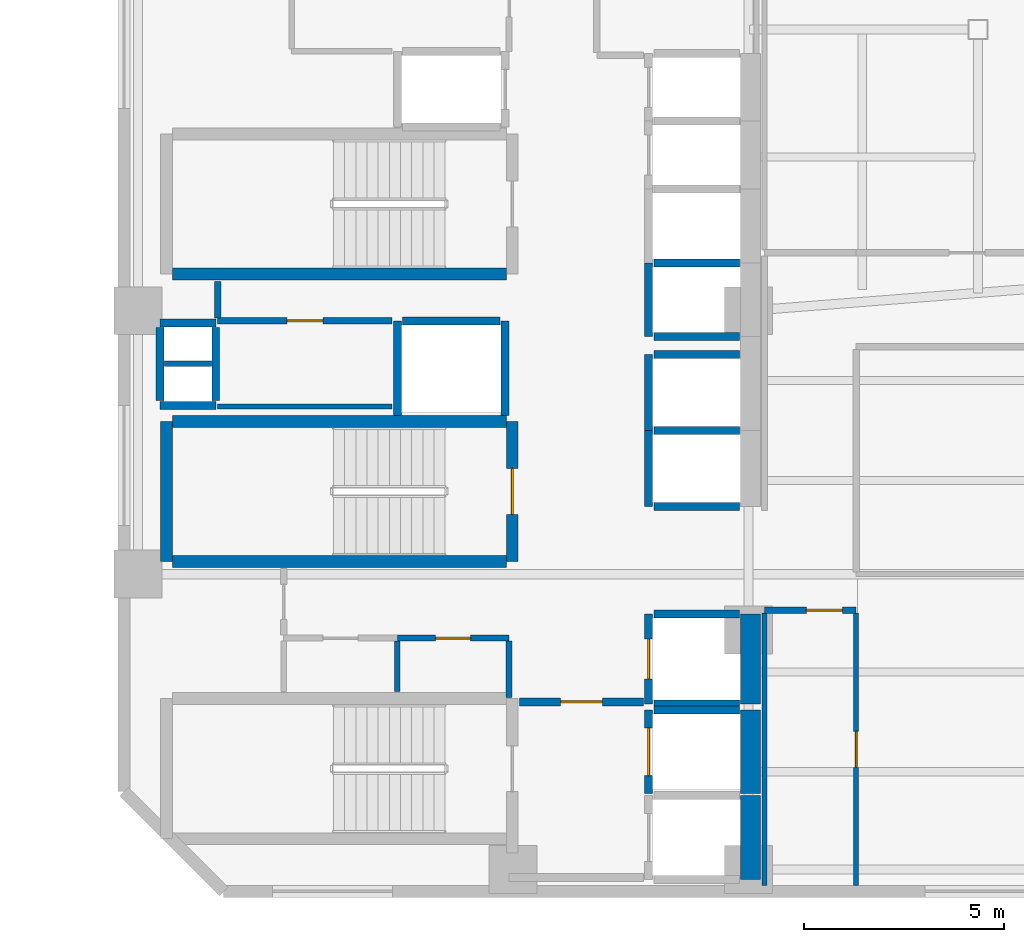
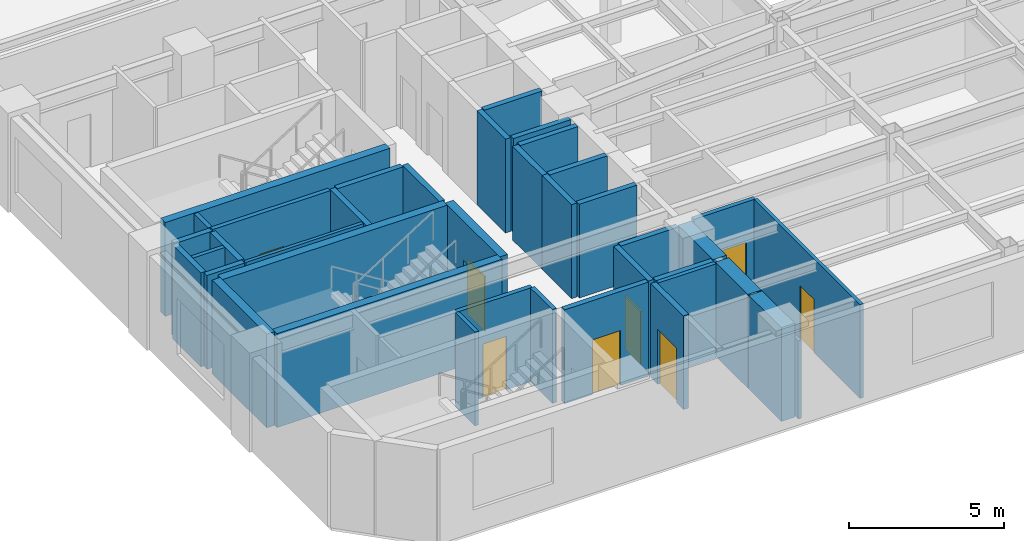
# One storey, part 3 of 9: 39 walls, 8 doors, 8 openings.
"""IFC4 building model written with IfcOpenShell, lengths in metres."""

import ifcopenshell
import ifcopenshell.guid

model = None  # the IFC model being written
_history = None  # IfcOwnerHistory: only IFC2X3 demands one
_inside = {}  # id of a spatial element -> (the spatial element, [elements in it])
_under = {}  # id of a project, library or spatial element -> (it, [spatial elements below it])
_declared = {}  # id of a project -> (the project, [libraries it declares])
_typed = {}  # id of a type object -> (the type object, [elements of that type])
_made_of = {}  # id of a material, layer set ... -> (it, [elements and type objects made of it])


def new_model(schema):
    """Start an empty IFC model of exactly this schema.

    Asked for "IFC4X3", IfcOpenShell would pick the latest addendum, in which some entities
    have other attributes; the version numbers below select the first issue.
    IFC2X3 requires an IfcOwnerHistory on every rooted entity: one is made here for all.
    """
    global model, _history
    if schema == "IFC4X3":
        model = ifcopenshell.file(schema_version=(4, 3, 0, 0))
    else:
        model = ifcopenshell.file(schema=schema)
    _inside.clear()
    _under.clear()
    _declared.clear()
    _typed.clear()
    _made_of.clear()
    _history = None
    if model.schema == "IFC2X3":
        org = make("IfcOrganization", Name="unknown")
        user = make(
            "IfcPersonAndOrganization",
            ThePerson=make("IfcPerson", FamilyName="unknown"),
            TheOrganization=org,
        )
        app = make(
            "IfcApplication",
            ApplicationDeveloper=org,
            Version="unknown",
            ApplicationFullName="unknown",
            ApplicationIdentifier="unknown",
        )
        _history = make(
            "IfcOwnerHistory",
            OwningUser=user,
            OwningApplication=app,
            ChangeAction="ADDED",
            CreationDate=0,
        )
    return model


def make(cls, **values):
    """One entity of the class cls with the attributes given. An attribute that is None is left unset."""
    return model.create_entity(
        cls, **{name: value for name, value in values.items() if value is not None}
    )


def rooted(cls, **values):
    """An entity with a GlobalId (a new one), such as an element, a storey or a relation."""
    return make(cls, GlobalId=ifcopenshell.guid.new(), OwnerHistory=_history, **values)


def si_unit(unit_type, name, prefix=None):
    """IfcSIUnit, for example si_unit("LENGTHUNIT", "METRE", prefix="MILLI")."""
    return make("IfcSIUnit", UnitType=unit_type, Prefix=prefix, Name=name)


def assignment(units):
    """IfcUnitAssignment: the units of a project."""
    return None if units is None else make("IfcUnitAssignment", Units=units)


def point(xyz):
    """IfcCartesianPoint."""
    return None if xyz is None else make("IfcCartesianPoint", Coordinates=xyz)


def direction(xyz):
    """IfcDirection."""
    return None if xyz is None else make("IfcDirection", DirectionRatios=xyz)


def frame(location, z_axis=None, x_axis=None):
    """IfcAxis2Placement3D, a coordinate frame: its origin and axes. An axis left out is left unset."""
    return make(
        "IfcAxis2Placement3D",
        Location=point(location),
        Axis=direction(z_axis),
        RefDirection=direction(x_axis),
    )


def frame_2d(location, x_axis=None):
    """IfcAxis2Placement2D, a coordinate frame in the plane: its origin and x axis."""
    return make(
        "IfcAxis2Placement2D", Location=point(location), RefDirection=direction(x_axis)
    )


def origin():
    """The frame at (0, 0, 0) with its axes left unset."""
    return frame((0.0, 0.0, 0.0))


def place(relative_to, where):
    """IfcLocalPlacement: puts the frame where relative to a parent placement (None: the world)."""
    return make(
        "IfcLocalPlacement", PlacementRelTo=relative_to, RelativePlacement=where
    )


def context(
    kind, dimensions, precision=None, world=None, true_north=None, identifier=None
):
    """IfcGeometricRepresentationContext, for example the 3D "Model" context."""
    return make(
        "IfcGeometricRepresentationContext",
        ContextIdentifier=identifier,
        ContextType=kind,
        CoordinateSpaceDimension=dimensions,
        Precision=precision,
        WorldCoordinateSystem=world,
        TrueNorth=true_north,
    )


def subcontext(parent, identifier, kind, view, scale=None):
    """IfcGeometricRepresentationSubContext, for example "Body" below "Model"."""
    return make(
        "IfcGeometricRepresentationSubContext",
        ContextIdentifier=identifier,
        ContextType=kind,
        ParentContext=parent,
        TargetScale=scale,
        TargetView=view,
    )


def project(units=None, contexts=None):
    """IfcProject with its units and contexts."""
    return rooted(
        "IfcProject",
        Name="project",
        RepresentationContexts=contexts,
        UnitsInContext=assignment(units),
    )


def spatial(cls, under=None, at=None, **own):
    """A site, building, storey or space (cls), placed at a placement, below another one or the project."""
    s = rooted(cls, ObjectPlacement=at, **own)
    if under is not None:
        _under.setdefault(under.id(), (under, []))[1].append(s)
    return s


def profile(cls, at=None, kind="AREA", **sizes):
    """A parametric profile (cls). Its sizes go by their IFC names, for example OverallWidth=200.0."""
    return make(cls, ProfileType=kind, Position=at, **sizes)


def rectangle(**sizes):
    """IfcRectangleProfileDef."""
    return profile("IfcRectangleProfileDef", **sizes)


def extrude(swept, where, along, depth):
    """IfcExtrudedAreaSolid: the profile swept, set in the frame where, extruded along a direction by depth."""
    return make(
        "IfcExtrudedAreaSolid",
        SweptArea=swept,
        Position=where,
        ExtrudedDirection=direction(along),
        Depth=depth,
    )


def shape(context_of_items, identifier, shape_type, items):
    """IfcShapeRepresentation: the items that make up one representation, for example the "Body"."""
    return make(
        "IfcShapeRepresentation",
        ContextOfItems=context_of_items,
        RepresentationIdentifier=identifier,
        RepresentationType=shape_type,
        Items=items,
    )


def material(Name=None, Category=None):
    """IfcMaterial."""
    return make("IfcMaterial", Name=Name, Category=Category)


def layer(
    of_material, thickness, ventilated=None, Name=None, Category=None, Priority=None
):
    """IfcMaterialLayer: one layer of a wall or slab, of a material (None: an air gap)."""
    return make(
        "IfcMaterialLayer",
        Material=of_material,
        LayerThickness=thickness,
        IsVentilated=ventilated,
        Name=Name,
        Category=Category,
        Priority=Priority,
    )


def layer_set(layers, Name=None):
    """IfcMaterialLayerSet."""
    return make("IfcMaterialLayerSet", MaterialLayers=layers, LayerSetName=Name)


def made_of(thing, what):
    """Note that an element or type object is made of a material, layer set ...; save() writes the relation."""
    if what is not None:
        _made_of.setdefault(what.id(), (what, []))[1].append(thing)
    return thing


def type_object(cls, material=None, **own):
    """A type object (cls), such as IfcWallType, which elements share."""
    return made_of(rooted(cls, **own), material)


def element(
    cls,
    number,
    at=None,
    inside=None,
    cuts=None,
    type_object=None,
    material=None,
    context=None,
    identifier="Body",
    shape_type=None,
    held_by="IfcProductDefinitionShape",
    body=None,
    shapes=None,
    **own,
):
    """One element of the class cls, such as IfcWall. Its Tag is "e" and its number.

    at: its placement. inside: the storey or other place that contains it. cuts: it is an
    opening in that element (IfcRelVoidsElement). A single representation is given by context,
    identifier, shape_type and body (its items); several are given by shapes. held_by: the class
    of the entity that holds the representations. save() writes the other relations.
    """
    e = rooted(cls, Tag="e%d" % number, ObjectPlacement=at, **own)
    if body is not None:
        shapes = [shape(context, identifier, shape_type, body)]
    if shapes is not None:
        e.Representation = make(held_by, Representations=shapes)
    if inside is not None:
        _inside.setdefault(inside.id(), (inside, []))[1].append(e)
    if cuts is not None:
        rooted(
            "IfcRelVoidsElement", RelatingBuildingElement=cuts, RelatedOpeningElement=e
        )
    if type_object is not None:
        _typed.setdefault(type_object.id(), (type_object, []))[1].append(e)
    return made_of(e, material)


def fill(opening, filler):
    """IfcRelFillsElement: the door or window that sits in an opening."""
    return rooted(
        "IfcRelFillsElement",
        RelatingOpeningElement=opening,
        RelatedBuildingElement=filler,
    )


def aggregate(whole, parts):
    """IfcRelAggregates: a whole, such as a stair, and the parts it consists of."""
    return rooted("IfcRelAggregates", RelatingObject=whole, RelatedObjects=parts)


def save(model, path):
    """Write the relations noted so far, then the file.

    IfcRelAggregates (storeys below a building ...), IfcRelContainedInSpatialStructure (elements
    in a storey), IfcRelDefinesByType, IfcRelAssociatesMaterial and IfcRelDeclares: one each for
    every whole, place, type object, material and project.
    """
    for whole, parts in _under.values():
        aggregate(whole, parts)
    for where, things in _inside.values():
        rooted(
            "IfcRelContainedInSpatialStructure",
            RelatedElements=things,
            RelatingStructure=where,
        )
    for kind, things in _typed.values():
        rooted("IfcRelDefinesByType", RelatedObjects=things, RelatingType=kind)
    for what, things in _made_of.values():
        rooted("IfcRelAssociatesMaterial", RelatedObjects=things, RelatingMaterial=what)
    for by, libraries in _declared.values():
        rooted("IfcRelDeclares", RelatingContext=by, RelatedDefinitions=libraries)
    model.write(path)


model = new_model("IFC4")

# Units and contexts
model_context = context("Model", 3, precision=1e-05, world=origin(), true_north=direction((0.0, 1.0)))
body_context = subcontext(model_context, "Body", "Model", "MODEL_VIEW")
ifc_project = project(units=[si_unit("LENGTHUNIT", "METRE"), si_unit("AREAUNIT", "SQUARE_METRE"), si_unit("VOLUMEUNIT", "CUBIC_METRE"), si_unit("PLANEANGLEUNIT", "RADIAN"), si_unit("MASSUNIT", "GRAM", prefix="KILO")], contexts=[model_context])

# Site, building, storey
site_placement = place(None, origin())
site = spatial("IfcSite", under=ifc_project, at=site_placement, CompositionType="ELEMENT")
building_placement = place(site_placement, origin())
building = spatial("IfcBuilding", under=site, at=building_placement, Name="Mawjaban Terraces University", CompositionType="ELEMENT")
storey_placement = place(building_placement, frame((0.0, 0.0, 146.300048828125)))
storey = spatial("IfcBuildingStorey", under=building, at=storey_placement, Name="L35", CompositionType="ELEMENT", Elevation=146.300048828125)

# Walls
ifc_material_1 = material(Name="Concrete C60/75", Category="concrete")
ifc_layer_1 = layer(ifc_material_1, 0.5)
ifc_layer_set_1 = layer_set([ifc_layer_1], Name="Concrete C60/75")
wall_type_1 = type_object("IfcWallType", Name="CoreShearWall_500", PredefinedType="SHEAR", material=ifc_layer_set_1)
wall_1_placement = place(storey_placement, frame((37.699951171875, 0.300048828125, 0.0), z_axis=(0.0, 0.0, 1.0), x_axis=(0.0, 1.0, 0.0)))
element("IfcWall", 1, at=wall_1_placement, inside=storey, type_object=wall_type_1, Name="L35 Lift FL-1 Hoistway Wall East", PredefinedType="SHEAR", context=body_context, shape_type="SweptSolid", body=[
    extrude(rectangle(XDim=2.099853515625, YDim=0.5, at=frame_2d((1.0498046875, 0.0))), origin(), (0.0, 0.0, 1.0), 3.68994140625),
])
wall_2_placement = place(storey_placement, frame((37.699951171875, 2.449951171875, 0.0), z_axis=(0.0, 0.0, 1.0), x_axis=(0.0, 1.0, 0.0)))
element("IfcWall", 2, at=wall_2_placement, inside=storey, type_object=wall_type_1, Name="L35 Lift FL-2 Hoistway Wall East", PredefinedType="SHEAR", context=body_context, shape_type="SweptSolid", body=[
    extrude(rectangle(XDim=2.10009765625, YDim=0.5, at=frame_2d((1.050048828125, 0.0))), origin(), (0.0, 0.0, 1.0), 3.68994140625),
])
wall_3_placement = place(storey_placement, frame((37.699951171875, 4.699951171875, 0.0), z_axis=(0.0, 0.0, 1.0), x_axis=(0.0, 1.0, 0.0)))
element("IfcWall", 3, at=wall_3_placement, inside=storey, type_object=wall_type_1, Name="L35 Lift SL-1 Hoistway Wall East", PredefinedType="SHEAR", context=body_context, shape_type="SweptSolid", body=[
    extrude(rectangle(XDim=2.25, YDim=0.5, at=frame_2d((1.125, 0.0))), origin(), (0.0, 0.0, 1.0), 3.68994140625),
])

# Wall, opening, door
ifc_material_2 = material(Name="Fire-rated gypsum board on steel stud", Category="steel")
ifc_layer_2 = layer(ifc_material_2, 0.159912109375)
ifc_layer_set_2 = layer_set([ifc_layer_2], Name="Fire-rated gypsum board on steel stud")
wall_type_2 = type_object("IfcWallType", Name="CorridorPartition_160", PredefinedType="PARTITIONING", material=ifc_layer_set_2)
wall_4_placement = place(storey_placement, frame((24.35009765625, 14.300048828125, 0.0), z_axis=(0.0, 0.0, 1.0), x_axis=(1.0, 0.0, 0.0)))
wall_4 = element("IfcWall", 4, at=wall_4_placement, inside=storey, type_object=wall_type_2, Name="L35 Core Riser Access Passage Partition 2", PredefinedType="PARTITIONING", context=body_context, shape_type="SweptSolid", body=[
    extrude(rectangle(XDim=4.369873046875, YDim=0.159912109375, at=frame_2d((2.18505859375, 0.0))), origin(), (0.0, 0.0, 1.0), 3.68994140625),
])
opening_1_placement = place(wall_4_placement, frame((1.735107421875, 0.0, 0.0)))
opening_1 = element("IfcOpeningElement", 5, at=opening_1_placement, cuts=wall_4, Name="Opening ID-090", PredefinedType="OPENING", context=body_context, shape_type="SweptSolid", body=[
    extrude(rectangle(XDim=0.89990234375, YDim=2.10009765625, at=frame_2d((0.449951171875, 1.050048828125))), frame((0.0, 0.08984375, 0.0), z_axis=(0.0, -1.0, 0.0), x_axis=(1.0, 0.0, 0.0)), (0.0, 0.0, 1.0), 0.179931640625),
])
ifc_material_3 = material(Name="Powder-coated steel frame and solid acoustic timber leaf", Category="steel")
door_type_1 = type_object("IfcDoorType", Name="OfficeDoor_900x2100", OperationType="NOTDEFINED", PredefinedType="DOOR", material=ifc_material_3)
door_1_placement = place(opening_1_placement, origin())
door_1 = element("IfcDoor", 6, at=door_1_placement, inside=storey, type_object=door_type_1, Name="L35 Cleaner Store Door", OperationType="SINGLE_SWING_RIGHT", OverallHeight=2.10009765625, OverallWidth=0.89990234375, PredefinedType="DOOR", context=body_context, shape_type="SweptSolid", body=[
    extrude(rectangle(XDim=0.89990234375, YDim=2.10009765625, at=frame_2d((0.449951171875, 1.050048828125))), frame((0.0, 0.02490234375, 0.0), z_axis=(0.0, -1.0, 0.0), x_axis=(1.0, 0.0, 0.0)), (0.0, 0.0, 1.0), 0.050048828125),
])
fill(opening_1, door_1)

wall_5_placement = place(storey_placement, frame((28.85009765625, 6.35009765625, 0.0), z_axis=(0.0, 0.0, 1.0), x_axis=(1.0, 0.0, 0.0)))
wall_5 = element("IfcWall", 7, at=wall_5_placement, inside=storey, type_object=wall_type_2, Name="L35 Core Washroom Lobby Partition 6", PredefinedType="PARTITIONING", context=body_context, shape_type="SweptSolid", body=[
    extrude(rectangle(XDim=2.7998046875, YDim=0.159912109375, at=frame_2d((1.39990234375, 0.0))), origin(), (0.0, 0.0, 1.0), 3.68994140625),
])
opening_2_placement = place(wall_5_placement, frame((0.9599609375, 0.0, 0.0)))
opening_2 = element("IfcOpeningElement", 8, at=opening_2_placement, cuts=wall_5, Name="Opening ID-088", PredefinedType="OPENING", context=body_context, shape_type="SweptSolid", body=[
    extrude(rectangle(XDim=0.8798828125, YDim=2.10009765625, at=frame_2d((0.43994140625, 1.050048828125))), frame((0.0, 0.08984375, 0.0), z_axis=(0.0, -1.0, 0.0), x_axis=(1.0, 0.0, 0.0)), (0.0, 0.0, 1.0), 0.179931640625),
])
door_type_2 = type_object("IfcDoorType", Name="ToiletDoor_880x2100", OperationType="NOTDEFINED", PredefinedType="DOOR", material=ifc_material_3)
door_2_placement = place(opening_2_placement, origin())
door_2 = element("IfcDoor", 9, at=door_2_placement, inside=storey, type_object=door_type_2, Name="L35 Accessible Toilet Door", OperationType="SINGLE_SWING_LEFT", OverallHeight=2.10009765625, OverallWidth=0.8798828125, PredefinedType="DOOR", context=body_context, shape_type="SweptSolid", body=[
    extrude(rectangle(XDim=0.8798828125, YDim=2.10009765625, at=frame_2d((0.43994140625, 1.050048828125))), frame((0.0, 0.02490234375, 0.0), z_axis=(0.0, -1.0, 0.0), x_axis=(1.0, 0.0, 0.0)), (0.0, 0.0, 1.0), 0.050048828125),
])
fill(opening_2, door_2)

wall_6_placement = place(storey_placement, frame((38.050048828125, 7.050048828125, 0.0), z_axis=(0.0, 0.0, 1.0), x_axis=(1.0, 0.0, 0.0)))
wall_6 = element("IfcWall", 10, at=wall_6_placement, inside=storey, type_object=wall_type_2, Name="L35 Inner Gallery Link Corridor Partition 13", PredefinedType="PARTITIONING", context=body_context, shape_type="SweptSolid", body=[
    extrude(rectangle(XDim=2.300048828125, YDim=0.159912109375, at=frame_2d((1.14990234375, 0.0))), origin(), (0.0, 0.0, 1.0), 3.68994140625),
])
opening_3_placement = place(wall_6_placement, frame((1.050048828125, 0.0, 0.0)))
opening_3 = element("IfcOpeningElement", 11, at=opening_3_placement, cuts=wall_6, Name="Opening ID-090", PredefinedType="OPENING", context=body_context, shape_type="SweptSolid", body=[
    extrude(rectangle(XDim=0.89990234375, YDim=2.10009765625, at=frame_2d((0.449951171875, 1.050048828125))), frame((0.0, 0.08984375, 0.0), z_axis=(0.0, -1.0, 0.0), x_axis=(1.0, 0.0, 0.0)), (0.0, 0.0, 1.0), 0.179931640625),
])
door_3_placement = place(opening_3_placement, origin())
door_3 = element("IfcDoor", 12, at=door_3_placement, inside=storey, type_object=door_type_1, Name="L35 Collaborative Study Room 1 Door", OperationType="SINGLE_SWING_RIGHT", OverallHeight=2.10009765625, OverallWidth=0.89990234375, PredefinedType="DOOR", context=body_context, shape_type="SweptSolid", body=[
    extrude(rectangle(XDim=0.89990234375, YDim=2.10009765625, at=frame_2d((0.449951171875, 1.050048828125))), frame((0.0, 0.02490234375, 0.0), z_axis=(0.0, -1.0, 0.0), x_axis=(1.0, 0.0, 0.0)), (0.0, 0.0, 1.0), 0.050048828125),
])
fill(opening_3, door_3)

# Walls
wall_7_placement = place(storey_placement, frame((24.35009765625, 15.2900390625, 0.0), z_axis=(0.0, 0.0, 1.0), x_axis=(0.0, -1.0, 0.0)))
element("IfcWall", 13, at=wall_7_placement, inside=storey, type_object=wall_type_2, Name="L35 Core Riser Access Passage Partition 22", PredefinedType="PARTITIONING", context=body_context, shape_type="SweptSolid", body=[
    extrude(rectangle(XDim=0.9150390625, YDim=0.159912109375, at=frame_2d((0.45751953125, 0.0))), origin(), (0.0, 0.0, 1.0), 3.68994140625),
])
wall_8_placement = place(storey_placement, frame((31.64990234375, 4.860107421875, 0.0), z_axis=(0.0, 0.0, 1.0), x_axis=(0.0, 1.0, 0.0)))
element("IfcWall", 14, at=wall_8_placement, inside=storey, type_object=wall_type_2, Name="L35 Accessible Toilet Partition 27", PredefinedType="PARTITIONING", context=body_context, shape_type="SweptSolid", body=[
    extrude(rectangle(XDim=1.414794921875, YDim=0.159912109375, at=frame_2d((0.70751953125, 0.0))), origin(), (0.0, 0.0, 1.0), 3.68994140625),
])

# Wall, opening, door
ifc_material_4 = material(Name="Concrete C40/50", Category="concrete")
ifc_layer_3 = layer(ifc_material_4, 0.199951171875)
ifc_layer_set_3 = layer_set([ifc_layer_3], Name="Concrete C40/50")
wall_type_3 = type_object("IfcWallType", Name="FireLobbyWall_200", PredefinedType="SOLIDWALL", material=ifc_layer_set_3)
wall_9_placement = place(storey_placement, frame((35.14990234375, 4.550048828125, 0.0), z_axis=(0.0, 0.0, 1.0), x_axis=(0.0, -1.0, 0.0)))
wall_9 = element("IfcWall", 15, at=wall_9_placement, inside=storey, type_object=wall_type_3, Name="L35 Lift FL-2 Hoistway Wall West", PredefinedType="SOLIDWALL", context=body_context, shape_type="SweptSolid", body=[
    extrude(rectangle(XDim=2.10009765625, YDim=0.199951171875, at=frame_2d((1.050048828125, 0.0))), origin(), (0.0, 0.0, 1.0), 3.68994140625),
])
opening_4_placement = place(wall_9_placement, frame((0.449951171875, 0.0, 0.0)))
opening_4 = element("IfcOpeningElement", 16, at=opening_4_placement, cuts=wall_9, Name="Opening LD-FL-2", PredefinedType="OPENING", context=body_context, shape_type="SweptSolid", body=[
    extrude(rectangle(XDim=1.199951171875, YDim=2.14990234375, at=frame_2d((0.60009765625, 1.074951171875))), frame((0.0, 0.10986328125, 0.0), z_axis=(0.0, -1.0, 0.0), x_axis=(1.0, 0.0, 0.0)), (0.0, 0.0, 1.0), 0.219970703125),
])
ifc_material_5 = material(Name="Powder-coated steel frame and fire-rated steel-faced leaf", Category="steel")
door_type_3 = type_object("IfcDoorType", Name="LiftLandingFSAE_1200x2150", OperationType="NOTDEFINED", PredefinedType="DOOR", material=ifc_material_5)
door_4_placement = place(opening_4_placement, origin())
door_4 = element("IfcDoor", 17, at=door_4_placement, inside=storey, type_object=door_type_3, Name="L35 Lift FL-2 Sliding Landing Door", OperationType="DOUBLE_DOOR_SLIDING", OverallHeight=2.14990234375, OverallWidth=1.199951171875, PredefinedType="DOOR", context=body_context, shape_type="SweptSolid", body=[
    extrude(rectangle(XDim=1.199951171875, YDim=2.14990234375, at=frame_2d((0.60009765625, 1.074951171875))), frame((0.0, 0.02490234375, 0.0), z_axis=(0.0, -1.0, 0.0), x_axis=(1.0, 0.0, 0.0)), (0.0, 0.0, 1.0), 0.050048828125),
])
fill(opening_4, door_4)

# Wall
wall_10_placement = place(storey_placement, frame((37.419921875, 4.550048828125, 0.0), z_axis=(0.0, 0.0, 1.0), x_axis=(-1.0, 0.0, 0.0)))
element("IfcWall", 18, at=wall_10_placement, inside=storey, type_object=wall_type_3, Name="L35 Lift FL-2 Hoistway Wall North", PredefinedType="SOLIDWALL", context=body_context, shape_type="SweptSolid", body=[
    extrude(rectangle(XDim=2.139892578125, YDim=0.199951171875, at=frame_2d((1.06982421875, 0.0))), origin(), (0.0, 0.0, 1.0), 3.68994140625),
])

# Wall, opening, door
wall_11_placement = place(storey_placement, frame((35.14990234375, 6.949951171875, 0.0), z_axis=(0.0, 0.0, 1.0), x_axis=(0.0, -1.0, 0.0)))
wall_11 = element("IfcWall", 19, at=wall_11_placement, inside=storey, type_object=wall_type_3, Name="L35 Lift SL-1 Hoistway Wall West", PredefinedType="SOLIDWALL", context=body_context, shape_type="SweptSolid", body=[
    extrude(rectangle(XDim=2.25, YDim=0.199951171875, at=frame_2d((1.125, 0.0))), origin(), (0.0, 0.0, 1.0), 3.68994140625),
])
opening_5_placement = place(wall_11_placement, frame((0.625, 0.0, 0.0)))
opening_5 = element("IfcOpeningElement", 20, at=opening_5_placement, cuts=wall_11, Name="Opening LD-SL-1", PredefinedType="OPENING", context=body_context, shape_type="SweptSolid", body=[
    extrude(rectangle(XDim=1.0, YDim=2.10009765625, at=frame_2d((0.5, 1.050048828125))), frame((0.0, 0.10986328125, 0.0), z_axis=(0.0, -1.0, 0.0), x_axis=(1.0, 0.0, 0.0)), (0.0, 0.0, 1.0), 0.219970703125),
])
door_type_4 = type_object("IfcDoorType", Name="LiftLandingSliding_1000x2100", OperationType="NOTDEFINED", PredefinedType="DOOR", material=ifc_material_5)
door_5_placement = place(opening_5_placement, origin())
door_5 = element("IfcDoor", 21, at=door_5_placement, inside=storey, type_object=door_type_4, Name="L35 Lift SL-1 Sliding Landing Door", OperationType="DOUBLE_DOOR_SLIDING", OverallHeight=2.10009765625, OverallWidth=1.0, PredefinedType="DOOR", context=body_context, shape_type="SweptSolid", body=[
    extrude(rectangle(XDim=1.0, YDim=2.10009765625, at=frame_2d((0.5, 1.050048828125))), frame((0.0, 0.02490234375, 0.0), z_axis=(0.0, -1.0, 0.0), x_axis=(1.0, 0.0, 0.0)), (0.0, 0.0, 1.0), 0.050048828125),
])
fill(opening_5, door_5)

# Walls
for number, where, z_axis, x_axis, name in (
    (22, (35.280029296875, 4.699951171875, 0.0), (0.0, 0.0, 1.0), (1.0, 0.0, 0.0), "L35 Lift SL-1 Hoistway Wall South"),
    (23, (37.419921875, 6.949951171875, 0.0), (0.0, 0.0, 1.0), (-1.0, 0.0, 0.0), "L35 Lift SL-1 Hoistway Wall North"),
):
    element("IfcWall", number, at=place(storey_placement, frame(where, z_axis=z_axis, x_axis=x_axis)), inside=storey, type_object=wall_type_3, Name=name, PredefinedType="SOLIDWALL", context=body_context, shape_type="SweptSolid", body=[
        extrude(rectangle(XDim=2.139892578125, YDim=0.199951171875, at=frame_2d((1.06982421875, 0.0))), origin(), (0.0, 0.0, 1.0), 3.68994140625),
    ])
wall_12_placement = place(storey_placement, frame((35.14990234375, 11.550048828125, 0.0), z_axis=(0.0, 0.0, 1.0), x_axis=(0.0, -1.0, 0.0)))
element("IfcWall", 24, at=wall_12_placement, inside=storey, type_object=wall_type_3, Name="L35 Lift PL-H1 Hoistway Wall West", PredefinedType="SOLIDWALL", context=body_context, shape_type="SweptSolid", body=[
    extrude(rectangle(XDim=1.900146484375, YDim=0.199951171875, at=frame_2d((0.9501953125, 0.0))), origin(), (0.0, 0.0, 1.0), 3.68994140625),
])
for number, where, z_axis, x_axis, name in (
    (25, (35.280029296875, 9.64990234375, 0.0), (0.0, 0.0, 1.0), (1.0, 0.0, 0.0), "L35 Lift PL-H1 Hoistway Wall South"),
    (26, (37.419921875, 11.550048828125, 0.0), (0.0, 0.0, 1.0), (-1.0, 0.0, 0.0), "L35 Lift PL-H1 Hoistway Wall North"),
):
    element("IfcWall", number, at=place(storey_placement, frame(where, z_axis=z_axis, x_axis=x_axis)), inside=storey, type_object=wall_type_3, Name=name, PredefinedType="SOLIDWALL", context=body_context, shape_type="SweptSolid", body=[
        extrude(rectangle(XDim=2.139892578125, YDim=0.199951171875, at=frame_2d((1.06982421875, 0.0))), origin(), (0.0, 0.0, 1.0), 3.68994140625),
    ])
wall_13_placement = place(storey_placement, frame((35.14990234375, 13.449951171875, 0.0), z_axis=(0.0, 0.0, 1.0), x_axis=(0.0, -1.0, 0.0)))
element("IfcWall", 27, at=wall_13_placement, inside=storey, type_object=wall_type_3, Name="L35 Lift PL-H2 Hoistway Wall West", PredefinedType="SOLIDWALL", context=body_context, shape_type="SweptSolid", body=[
    extrude(rectangle(XDim=1.89990234375, YDim=0.199951171875, at=frame_2d((0.949951171875, 0.0))), origin(), (0.0, 0.0, 1.0), 3.68994140625),
])
wall_14_placement = place(storey_placement, frame((37.419921875, 13.449951171875, 0.0), z_axis=(0.0, 0.0, 1.0), x_axis=(-1.0, 0.0, 0.0)))
element("IfcWall", 28, at=wall_14_placement, inside=storey, type_object=wall_type_3, Name="L35 Lift PL-H2 Hoistway Wall North", PredefinedType="SOLIDWALL", context=body_context, shape_type="SweptSolid", body=[
    extrude(rectangle(XDim=2.139892578125, YDim=0.199951171875, at=frame_2d((1.06982421875, 0.0))), origin(), (0.0, 0.0, 1.0), 3.68994140625),
])
for number, where, z_axis, x_axis, name in (
    (29, (28.85009765625, 14.300048828125, 0.0), (0.0, 0.0, 1.0), (0.0, -1.0, 0.0), "L35 Lift PL-H3 Hoistway Wall West"),
    (30, (31.550048828125, 11.929931640625, 0.0), (0.0, 0.0, 1.0), (0.0, 1.0, 0.0), "L35 Lift PL-H3 Hoistway Wall East"),
):
    element("IfcWall", number, at=place(storey_placement, frame(where, z_axis=z_axis, x_axis=x_axis)), inside=storey, type_object=wall_type_3, Name=name, PredefinedType="SOLIDWALL", context=body_context, shape_type="SweptSolid", body=[
        extrude(rectangle(XDim=2.3701171875, YDim=0.199951171875, at=frame_2d((1.18505859375, 0.0))), origin(), (0.0, 0.0, 1.0), 3.68994140625),
    ])
wall_15_placement = place(storey_placement, frame((31.419921875, 14.300048828125, 0.0), z_axis=(0.0, 0.0, 1.0), x_axis=(-1.0, 0.0, 0.0)))
element("IfcWall", 31, at=wall_15_placement, inside=storey, type_object=wall_type_3, Name="L35 Lift PL-H3 Hoistway Wall North", PredefinedType="SOLIDWALL", context=body_context, shape_type="SweptSolid", body=[
    extrude(rectangle(XDim=2.43994140625, YDim=0.199951171875, at=frame_2d((1.219970703125, 0.0))), origin(), (0.0, 0.0, 1.0), 3.68994140625),
])
wall_16_placement = place(storey_placement, frame((35.14990234375, 15.75, 0.0), z_axis=(0.0, 0.0, 1.0), x_axis=(0.0, -1.0, 0.0)))
element("IfcWall", 32, at=wall_16_placement, inside=storey, type_object=wall_type_3, Name="L35 Lift OL-1 Hoistway Wall West", PredefinedType="SOLIDWALL", context=body_context, shape_type="SweptSolid", body=[
    extrude(rectangle(XDim=1.85009765625, YDim=0.199951171875, at=frame_2d((0.925048828125, 0.0))), origin(), (0.0, 0.0, 1.0), 3.68994140625),
])
for number, where, z_axis, x_axis, name in (
    (33, (35.280029296875, 13.89990234375, 0.0), (0.0, 0.0, 1.0), (1.0, 0.0, 0.0), "L35 Lift OL-1 Hoistway Wall South"),
    (34, (37.419921875, 15.75, 0.0), (0.0, 0.0, 1.0), (-1.0, 0.0, 0.0), "L35 Lift OL-1 Hoistway Wall North"),
):
    element("IfcWall", number, at=place(storey_placement, frame(where, z_axis=z_axis, x_axis=x_axis)), inside=storey, type_object=wall_type_3, Name=name, PredefinedType="SOLIDWALL", context=body_context, shape_type="SweptSolid", body=[
        extrude(rectangle(XDim=2.139892578125, YDim=0.199951171875, at=frame_2d((1.06982421875, 0.0))), origin(), (0.0, 0.0, 1.0), 3.68994140625),
    ])
for number, where, z_axis, x_axis, name in (
    (35, (22.89990234375, 14.25, 0.0), (0.0, 0.0, 1.0), (1.0, 0.0, 0.0), "L35 MEP Riser Shaft Wall N"),
    (36, (22.89990234375, 12.179931640625, 0.0), (0.0, 0.0, 1.0), (1.0, 0.0, 0.0), "L35 MEP Riser Shaft Wall S"),
):
    element("IfcWall", number, at=place(storey_placement, frame(where, z_axis=z_axis, x_axis=x_axis)), inside=storey, type_object=wall_type_3, Name=name, PredefinedType="SOLIDWALL", context=body_context, shape_type="SweptSolid", body=[
        extrude(rectangle(XDim=1.400146484375, YDim=0.199951171875, at=frame_2d((0.7001953125, 0.0))), origin(), (0.0, 0.0, 1.0), 3.68994140625),
    ])
for number, where, z_axis, x_axis, name in (
    (37, (24.300048828125, 12.300048828125, 0.0), (0.0, 0.0, 1.0), (0.0, 1.0, 0.0), "L35 MEP Riser Shaft Wall E"),
    (38, (22.89990234375, 12.300048828125, 0.0), (0.0, 0.0, 1.0), (0.0, 1.0, 0.0), "L35 MEP Riser Shaft Wall W"),
):
    element("IfcWall", number, at=place(storey_placement, frame(where, z_axis=z_axis, x_axis=x_axis)), inside=storey, type_object=wall_type_3, Name=name, PredefinedType="SOLIDWALL", context=body_context, shape_type="SweptSolid", body=[
        extrude(rectangle(XDim=1.829833984375, YDim=0.199951171875, at=frame_2d((0.9150390625, 0.0))), origin(), (0.0, 0.0, 1.0), 3.68994140625),
    ])

# Wall, opening, door
wall_17_placement = place(storey_placement, frame((35.02001953125, 4.75, 0.0), z_axis=(0.0, 0.0, 1.0), x_axis=(-1.0, 0.0, 0.0)))
wall_17 = element("IfcWall", 39, at=wall_17_placement, inside=storey, type_object=wall_type_3, Name="L35 Firefighting Lift Lobby Partition 9", PredefinedType="SOLIDWALL", context=body_context, shape_type="SweptSolid", body=[
    extrude(rectangle(XDim=3.110107421875, YDim=0.199951171875, at=frame_2d((1.55517578125, 0.0))), origin(), (0.0, 0.0, 1.0), 3.68994140625),
])
opening_6_placement = place(wall_17_placement, frame((1.030029296875, 0.0, 0.0)))
opening_6 = element("IfcOpeningElement", 40, at=opening_6_placement, cuts=wall_17, Name="Opening FD-105", PredefinedType="OPENING", context=body_context, shape_type="SweptSolid", body=[
    extrude(rectangle(XDim=1.050048828125, YDim=2.14990234375, at=frame_2d((0.52490234375, 1.074951171875))), frame((0.0, 0.10986328125, 0.0), z_axis=(0.0, -1.0, 0.0), x_axis=(1.0, 0.0, 0.0)), (0.0, 0.0, 1.0), 0.219970703125),
])
door_type_5 = type_object("IfcDoorType", Name="FireLobbyDoor_1050x2150", OperationType="NOTDEFINED", PredefinedType="DOOR", material=ifc_material_5)
door_6_placement = place(opening_6_placement, origin())
door_6 = element("IfcDoor", 41, at=door_6_placement, inside=storey, type_object=door_type_5, Name="L35 Firefighting Lift Lobby Door", OperationType="SINGLE_SWING_RIGHT", OverallHeight=2.14990234375, OverallWidth=1.050048828125, PredefinedType="DOOR", context=body_context, shape_type="SweptSolid", body=[
    extrude(rectangle(XDim=1.050048828125, YDim=2.14990234375, at=frame_2d((0.52490234375, 1.074951171875))), frame((0.0, 0.02490234375, 0.0), z_axis=(0.0, -1.0, 0.0), x_axis=(1.0, 0.0, 0.0)), (0.0, 0.0, 1.0), 0.050048828125),
])
fill(opening_6, door_6)

# Walls
ifc_material_6 = material(Name="Moisture-resistant gypsum board on steel stud", Category="steel")
ifc_layer_4 = layer(ifc_material_6, 0.14501953125)
ifc_layer_set_4 = layer_set([ifc_layer_4], Name="Moisture-resistant gypsum board on steel stud")
wall_type_4 = type_object("IfcWallType", Name="LabPartition_145", PredefinedType="PARTITIONING", material=ifc_layer_set_4)
wall_18_placement = place(storey_placement, frame((23.010009765625, 13.22509765625, 0.0), z_axis=(0.0, 0.0, 1.0), x_axis=(1.0, 0.0, 0.0)))
element("IfcWall", 42, at=wall_18_placement, inside=storey, type_object=wall_type_4, Name="L35 MEP Riser Shaft Wall M", PredefinedType="PARTITIONING", context=body_context, shape_type="SweptSolid", body=[
    extrude(rectangle(XDim=1.179931640625, YDim=0.14501953125, at=frame_2d((0.58984375, 0.0))), origin(), (0.0, 0.0, 1.0), 3.68994140625),
])
ifc_material_7 = material(Name="Gypsum plasterboard on steel stud", Category="steel")
ifc_layer_5 = layer(ifc_material_7, 0.125)
ifc_layer_set_5 = layer_set([ifc_layer_5], Name="Gypsum plasterboard on steel stud")
wall_type_5 = type_object("IfcWallType", Name="OfficePartition_125", PredefinedType="PARTITIONING", material=ifc_layer_set_5)
wall_19_placement = place(storey_placement, frame((24.35009765625, 12.14990234375, 0.0), z_axis=(0.0, 0.0, 1.0), x_axis=(1.0, 0.0, 0.0)))
element("IfcWall", 43, at=wall_19_placement, inside=storey, type_object=wall_type_5, Name="L35 Cleaner Store Partition 1", PredefinedType="PARTITIONING", context=body_context, shape_type="SweptSolid", body=[
    extrude(rectangle(XDim=4.369873046875, YDim=0.125, at=frame_2d((2.18505859375, 0.0))), origin(), (0.0, 0.0, 1.0), 3.68994140625),
])
wall_20_placement = place(storey_placement, frame((38.050048828125, 6.97509765625, 0.0), z_axis=(0.0, 0.0, 1.0), x_axis=(0.0, -1.0, 0.0)))
element("IfcWall", 44, at=wall_20_placement, inside=storey, type_object=wall_type_5, Name="L35 Collaborative Study Room 1 Partition 32", PredefinedType="PARTITIONING", context=body_context, shape_type="SweptSolid", body=[
    extrude(rectangle(XDim=6.830078125, YDim=0.125, at=frame_2d((3.4150390625, 0.0))), origin(), (0.0, 0.0, 1.0), 3.072998046875),
])

# Wall, opening, door
wall_21_placement = place(storey_placement, frame((40.35009765625, 0.14501953125, 0.0), z_axis=(0.0, 0.0, 1.0), x_axis=(0.0, 1.0, 0.0)))
wall_21 = element("IfcWall", 45, at=wall_21_placement, inside=storey, type_object=wall_type_5, Name="L35 Collaborative Study Room 1 Partition 35", PredefinedType="PARTITIONING", context=body_context, shape_type="SweptSolid", body=[
    extrude(rectangle(XDim=6.830078125, YDim=0.125, at=frame_2d((3.4150390625, 0.0))), origin(), (0.0, 0.0, 1.0), 3.68994140625),
])
opening_7_placement = place(wall_21_placement, frame((2.965087890625, 0.0, 0.0)))
opening_7 = element("IfcOpeningElement", 46, at=opening_7_placement, cuts=wall_21, Name="Opening ID-090", PredefinedType="OPENING", context=body_context, shape_type="SweptSolid", body=[
    extrude(rectangle(XDim=0.89990234375, YDim=2.10009765625, at=frame_2d((0.449951171875, 1.050048828125))), frame((0.0, 0.072509765625, 0.0), z_axis=(0.0, -1.0, 0.0), x_axis=(1.0, 0.0, 0.0)), (0.0, 0.0, 1.0), 0.14501953125),
])
door_7_placement = place(opening_7_placement, origin())
door_7 = element("IfcDoor", 47, at=door_7_placement, inside=storey, type_object=door_type_1, Name="L35 Graduate Study Lounge 2 Door", OperationType="SINGLE_SWING_LEFT", OverallHeight=2.10009765625, OverallWidth=0.89990234375, PredefinedType="DOOR", context=body_context, shape_type="SweptSolid", body=[
    extrude(rectangle(XDim=0.89990234375, YDim=2.10009765625, at=frame_2d((0.449951171875, 1.050048828125))), frame((0.0, 0.02490234375, 0.0), z_axis=(0.0, -1.0, 0.0), x_axis=(1.0, 0.0, 0.0)), (0.0, 0.0, 1.0), 0.050048828125),
])
fill(opening_7, door_7)

# Walls
ifc_layer_6 = layer(ifc_material_1, 0.300048828125)
ifc_layer_set_6 = layer_set([ifc_layer_6], Name="Concrete C60/75")
wall_type_6 = type_object("IfcWallType", Name="StairShaftWall_300", PredefinedType="SHEAR", material=ifc_layer_set_6)
for number, where, z_axis, x_axis, name in (
    (48, (23.219970703125, 15.469970703125, 0.0), (0.0, 0.0, 1.0), (1.0, 0.0, 0.0), "L35 ST-2 Stair Shaft Wall 3"),
    (49, (31.580078125, 11.780029296875, 0.0), (0.0, 0.0, 1.0), (-1.0, 0.0, 0.0), "L35 ST-3 Stair Shaft Wall 1"),
):
    element("IfcWall", number, at=place(storey_placement, frame(where, z_axis=z_axis, x_axis=x_axis)), inside=storey, type_object=wall_type_6, Name=name, PredefinedType="SHEAR", context=body_context, shape_type="SweptSolid", body=[
        extrude(rectangle(XDim=8.360107421875, YDim=0.300048828125, at=frame_2d((4.18017578125, 0.0))), origin(), (0.0, 0.0, 1.0), 3.68994140625),
    ])
wall_22_placement = place(storey_placement, frame((23.070068359375, 11.780029296875, 0.0), z_axis=(0.0, 0.0, 1.0), x_axis=(0.0, -1.0, 0.0)))
element("IfcWall", 50, at=wall_22_placement, inside=storey, type_object=wall_type_6, Name="L35 ST-3 Stair Shaft Wall 2", PredefinedType="SHEAR", context=body_context, shape_type="SweptSolid", body=[
    extrude(rectangle(XDim=3.510009765625, YDim=0.300048828125, at=frame_2d((1.7548828125, 0.0))), origin(), (0.0, 0.0, 1.0), 3.68994140625),
])
wall_23_placement = place(storey_placement, frame((23.219970703125, 8.27001953125, 0.0), z_axis=(0.0, 0.0, 1.0), x_axis=(1.0, 0.0, 0.0)))
element("IfcWall", 51, at=wall_23_placement, inside=storey, type_object=wall_type_6, Name="L35 ST-3 Stair Shaft Wall 3", PredefinedType="SHEAR", context=body_context, shape_type="SweptSolid", body=[
    extrude(rectangle(XDim=8.360107421875, YDim=0.300048828125, at=frame_2d((4.18017578125, 0.0))), origin(), (0.0, 0.0, 1.0), 3.68994140625),
])

# Wall, opening, door
wall_24_placement = place(storey_placement, frame((31.72998046875, 8.27001953125, 0.0), z_axis=(0.0, 0.0, 1.0), x_axis=(0.0, 1.0, 0.0)))
wall_24 = element("IfcWall", 52, at=wall_24_placement, inside=storey, type_object=wall_type_6, Name="L35 ST-3 Stair Shaft Wall 4", PredefinedType="SHEAR", context=body_context, shape_type="SweptSolid", body=[
    extrude(rectangle(XDim=3.510009765625, YDim=0.300048828125, at=frame_2d((1.7548828125, 0.0))), origin(), (0.0, 0.0, 1.0), 3.68994140625),
])
opening_8_placement = place(wall_24_placement, frame((1.179931640625, 0.0, 0.0)))
opening_8 = element("IfcOpeningElement", 53, at=opening_8_placement, cuts=wall_24, Name="Opening FD-115", PredefinedType="OPENING", context=body_context, shape_type="SweptSolid", body=[
    extrude(rectangle(XDim=1.14990234375, YDim=2.14990234375, at=frame_2d((0.574951171875, 1.074951171875))), frame((0.0, 0.159912109375, 0.0), z_axis=(0.0, -1.0, 0.0), x_axis=(1.0, 0.0, 0.0)), (0.0, 0.0, 1.0), 0.320068359375),
])
door_type_6 = type_object("IfcDoorType", Name="FireStairDoor_1150x2150", OperationType="NOTDEFINED", PredefinedType="DOOR", material=ifc_material_5)
door_8_placement = place(opening_8_placement, origin())
door_8 = element("IfcDoor", 54, at=door_8_placement, inside=storey, type_object=door_type_6, Name="L35 ST-3 Pressurised Stair Fire Door", OperationType="SINGLE_SWING_LEFT", OverallHeight=2.14990234375, OverallWidth=1.14990234375, PredefinedType="DOOR", context=body_context, shape_type="SweptSolid", body=[
    extrude(rectangle(XDim=1.14990234375, YDim=2.14990234375, at=frame_2d((0.574951171875, 1.074951171875))), frame((0.0, 0.02490234375, 0.0), z_axis=(0.0, -1.0, 0.0), x_axis=(1.0, 0.0, 0.0)), (0.0, 0.0, 1.0), 0.050048828125),
])
fill(opening_8, door_8)

# Wall
ifc_material_8 = material(Name="Cement-board wet-room partition", Category="masonry")
ifc_layer_7 = layer(ifc_material_8, 0.135009765625)
ifc_layer_set_7 = layer_set([ifc_layer_7], Name="Cement-board wet-room partition")
wall_type_7 = type_object("IfcWallType", Name="WetRoomPartition_135", PredefinedType="PARTITIONING", material=ifc_layer_set_7)
wall_25_placement = place(storey_placement, frame((28.85009765625, 5.010009765625, 0.0), z_axis=(0.0, 0.0, 1.0), x_axis=(0.0, 1.0, 0.0)))
element("IfcWall", 55, at=wall_25_placement, inside=storey, type_object=wall_type_7, Name="L35 Male Toilet Partition 26", PredefinedType="PARTITIONING", context=body_context, shape_type="SweptSolid", body=[
    extrude(rectangle(XDim=1.264892578125, YDim=0.135009765625, at=frame_2d((0.63232421875, 0.0))), origin(), (0.0, 0.0, 1.0), 3.68994140625),
])

save(model, "model.ifc")
